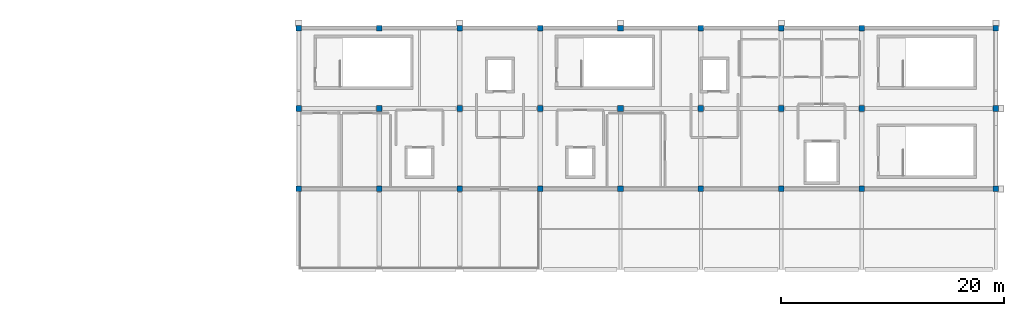
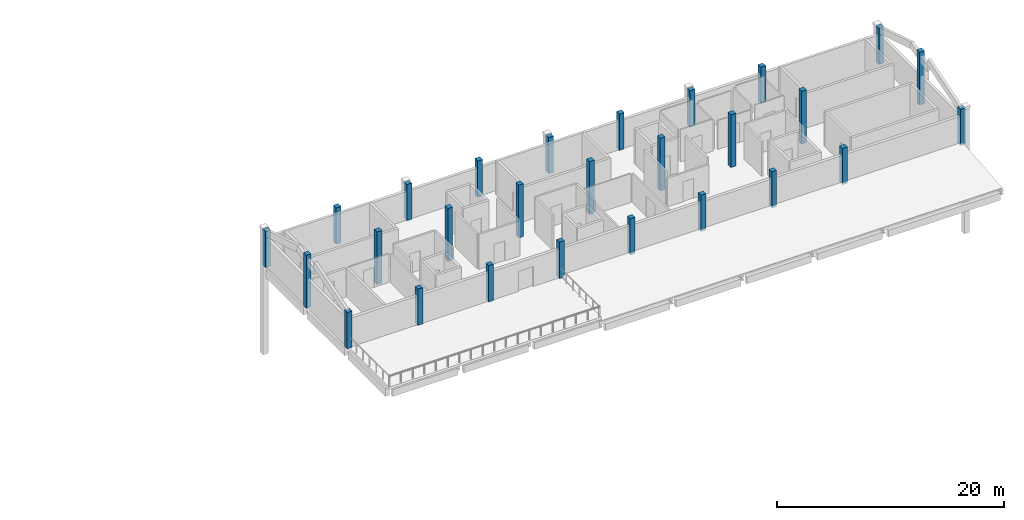
# One storey, part 1 of 8: 27 columns.
"""IFC4 building model written with IfcOpenShell, lengths in metres."""

import ifcopenshell
import ifcopenshell.guid

model = None  # the IFC model being written
_history = None  # IfcOwnerHistory: only IFC2X3 demands one
_inside = {}  # id of a spatial element -> (the spatial element, [elements in it])
_under = {}  # id of a project, library or spatial element -> (it, [spatial elements below it])
_declared = {}  # id of a project -> (the project, [libraries it declares])
_typed = {}  # id of a type object -> (the type object, [elements of that type])
_made_of = {}  # id of a material, layer set ... -> (it, [elements and type objects made of it])


def new_model(schema):
    """Start an empty IFC model of exactly this schema.

    Asked for "IFC4X3", IfcOpenShell would pick the latest addendum, in which some entities
    have other attributes; the version numbers below select the first issue.
    IFC2X3 requires an IfcOwnerHistory on every rooted entity: one is made here for all.
    """
    global model, _history
    if schema == "IFC4X3":
        model = ifcopenshell.file(schema_version=(4, 3, 0, 0))
    else:
        model = ifcopenshell.file(schema=schema)
    _inside.clear()
    _under.clear()
    _declared.clear()
    _typed.clear()
    _made_of.clear()
    _history = None
    if model.schema == "IFC2X3":
        org = make("IfcOrganization", Name="unknown")
        user = make(
            "IfcPersonAndOrganization",
            ThePerson=make("IfcPerson", FamilyName="unknown"),
            TheOrganization=org,
        )
        app = make(
            "IfcApplication",
            ApplicationDeveloper=org,
            Version="unknown",
            ApplicationFullName="unknown",
            ApplicationIdentifier="unknown",
        )
        _history = make(
            "IfcOwnerHistory",
            OwningUser=user,
            OwningApplication=app,
            ChangeAction="ADDED",
            CreationDate=0,
        )
    return model


def make(cls, **values):
    """One entity of the class cls with the attributes given. An attribute that is None is left unset."""
    return model.create_entity(
        cls, **{name: value for name, value in values.items() if value is not None}
    )


def rooted(cls, **values):
    """An entity with a GlobalId (a new one), such as an element, a storey or a relation."""
    return make(cls, GlobalId=ifcopenshell.guid.new(), OwnerHistory=_history, **values)


def si_unit(unit_type, name, prefix=None):
    """IfcSIUnit, for example si_unit("LENGTHUNIT", "METRE", prefix="MILLI")."""
    return make("IfcSIUnit", UnitType=unit_type, Prefix=prefix, Name=name)


def assignment(units):
    """IfcUnitAssignment: the units of a project."""
    return None if units is None else make("IfcUnitAssignment", Units=units)


def point(xyz):
    """IfcCartesianPoint."""
    return None if xyz is None else make("IfcCartesianPoint", Coordinates=xyz)


def direction(xyz):
    """IfcDirection."""
    return None if xyz is None else make("IfcDirection", DirectionRatios=xyz)


def frame(location, z_axis=None, x_axis=None):
    """IfcAxis2Placement3D, a coordinate frame: its origin and axes. An axis left out is left unset."""
    return make(
        "IfcAxis2Placement3D",
        Location=point(location),
        Axis=direction(z_axis),
        RefDirection=direction(x_axis),
    )


def frame_2d(location, x_axis=None):
    """IfcAxis2Placement2D, a coordinate frame in the plane: its origin and x axis."""
    return make(
        "IfcAxis2Placement2D", Location=point(location), RefDirection=direction(x_axis)
    )


def origin():
    """The frame at (0, 0, 0) with its axes left unset."""
    return frame((0.0, 0.0, 0.0))


def origin_2d():
    """The frame at (0, 0) in the plane with its x axis left unset."""
    return frame_2d((0.0, 0.0))


def place(relative_to, where):
    """IfcLocalPlacement: puts the frame where relative to a parent placement (None: the world)."""
    return make(
        "IfcLocalPlacement", PlacementRelTo=relative_to, RelativePlacement=where
    )


def context(
    kind, dimensions, precision=None, world=None, true_north=None, identifier=None
):
    """IfcGeometricRepresentationContext, for example the 3D "Model" context."""
    return make(
        "IfcGeometricRepresentationContext",
        ContextIdentifier=identifier,
        ContextType=kind,
        CoordinateSpaceDimension=dimensions,
        Precision=precision,
        WorldCoordinateSystem=world,
        TrueNorth=true_north,
    )


def subcontext(parent, identifier, kind, view, scale=None):
    """IfcGeometricRepresentationSubContext, for example "Body" below "Model"."""
    return make(
        "IfcGeometricRepresentationSubContext",
        ContextIdentifier=identifier,
        ContextType=kind,
        ParentContext=parent,
        TargetScale=scale,
        TargetView=view,
    )


def project(units=None, contexts=None):
    """IfcProject with its units and contexts."""
    return rooted(
        "IfcProject",
        Name="project",
        RepresentationContexts=contexts,
        UnitsInContext=assignment(units),
    )


def spatial(cls, under=None, at=None, **own):
    """A site, building, storey or space (cls), placed at a placement, below another one or the project."""
    s = rooted(cls, ObjectPlacement=at, **own)
    if under is not None:
        _under.setdefault(under.id(), (under, []))[1].append(s)
    return s


def profile(cls, at=None, kind="AREA", **sizes):
    """A parametric profile (cls). Its sizes go by their IFC names, for example OverallWidth=200.0."""
    return make(cls, ProfileType=kind, Position=at, **sizes)


def rectangle(**sizes):
    """IfcRectangleProfileDef."""
    return profile("IfcRectangleProfileDef", **sizes)


def extrude(swept, where, along, depth):
    """IfcExtrudedAreaSolid: the profile swept, set in the frame where, extruded along a direction by depth."""
    return make(
        "IfcExtrudedAreaSolid",
        SweptArea=swept,
        Position=where,
        ExtrudedDirection=direction(along),
        Depth=depth,
    )


def shape(context_of_items, identifier, shape_type, items):
    """IfcShapeRepresentation: the items that make up one representation, for example the "Body"."""
    return make(
        "IfcShapeRepresentation",
        ContextOfItems=context_of_items,
        RepresentationIdentifier=identifier,
        RepresentationType=shape_type,
        Items=items,
    )


def material(Name=None, Category=None):
    """IfcMaterial."""
    return make("IfcMaterial", Name=Name, Category=Category)


def material_profile(
    of_material, cross_section, Name=None, Category=None, Priority=None
):
    """IfcMaterialProfile: a cross section and its material."""
    return make(
        "IfcMaterialProfile",
        Name=Name,
        Material=of_material,
        Profile=cross_section,
        Priority=Priority,
        Category=Category,
    )


def profile_set(profiles, Name=None, composite=None):
    """IfcMaterialProfileSet."""
    return make(
        "IfcMaterialProfileSet",
        Name=Name,
        MaterialProfiles=profiles,
        CompositeProfile=composite,
    )


def made_of(thing, what):
    """Note that an element or type object is made of a material, layer set ...; save() writes the relation."""
    if what is not None:
        _made_of.setdefault(what.id(), (what, []))[1].append(thing)
    return thing


def type_object(cls, material=None, **own):
    """A type object (cls), such as IfcWallType, which elements share."""
    return made_of(rooted(cls, **own), material)


def element(
    cls,
    number,
    at=None,
    inside=None,
    cuts=None,
    type_object=None,
    material=None,
    context=None,
    identifier="Body",
    shape_type=None,
    held_by="IfcProductDefinitionShape",
    body=None,
    shapes=None,
    **own,
):
    """One element of the class cls, such as IfcWall. Its Tag is "e" and its number.

    at: its placement. inside: the storey or other place that contains it. cuts: it is an
    opening in that element (IfcRelVoidsElement). A single representation is given by context,
    identifier, shape_type and body (its items); several are given by shapes. held_by: the class
    of the entity that holds the representations. save() writes the other relations.
    """
    e = rooted(cls, Tag="e%d" % number, ObjectPlacement=at, **own)
    if body is not None:
        shapes = [shape(context, identifier, shape_type, body)]
    if shapes is not None:
        e.Representation = make(held_by, Representations=shapes)
    if inside is not None:
        _inside.setdefault(inside.id(), (inside, []))[1].append(e)
    if cuts is not None:
        rooted(
            "IfcRelVoidsElement", RelatingBuildingElement=cuts, RelatedOpeningElement=e
        )
    if type_object is not None:
        _typed.setdefault(type_object.id(), (type_object, []))[1].append(e)
    return made_of(e, material)


def aggregate(whole, parts):
    """IfcRelAggregates: a whole, such as a stair, and the parts it consists of."""
    return rooted("IfcRelAggregates", RelatingObject=whole, RelatedObjects=parts)


def save(model, path):
    """Write the relations noted so far, then the file.

    IfcRelAggregates (storeys below a building ...), IfcRelContainedInSpatialStructure (elements
    in a storey), IfcRelDefinesByType, IfcRelAssociatesMaterial and IfcRelDeclares: one each for
    every whole, place, type object, material and project.
    """
    for whole, parts in _under.values():
        aggregate(whole, parts)
    for where, things in _inside.values():
        rooted(
            "IfcRelContainedInSpatialStructure",
            RelatedElements=things,
            RelatingStructure=where,
        )
    for kind, things in _typed.values():
        rooted("IfcRelDefinesByType", RelatedObjects=things, RelatingType=kind)
    for what, things in _made_of.values():
        rooted("IfcRelAssociatesMaterial", RelatedObjects=things, RelatingMaterial=what)
    for by, libraries in _declared.values():
        rooted("IfcRelDeclares", RelatingContext=by, RelatedDefinitions=libraries)
    model.write(path)


model = new_model("IFC4")

# Units and contexts
model_context = context("Model", 3, precision=1e-05, world=origin(), true_north=direction((0.0, 1.0)))
body_context = subcontext(model_context, "Body", "Model", "MODEL_VIEW")
ifc_project = project(units=[si_unit("LENGTHUNIT", "METRE"), si_unit("AREAUNIT", "SQUARE_METRE"), si_unit("VOLUMEUNIT", "CUBIC_METRE"), si_unit("PLANEANGLEUNIT", "RADIAN"), si_unit("MASSUNIT", "GRAM", prefix="KILO")], contexts=[model_context])

# Site, building, storey
site_placement = place(None, origin())
site = spatial("IfcSite", under=ifc_project, at=site_placement, CompositionType="ELEMENT")
building_placement = place(site_placement, origin())
building = spatial("IfcBuilding", under=site, at=building_placement, Name="Cendralis Lancet Convention Centre", CompositionType="ELEMENT")
storey_placement = place(building_placement, frame((0.0, 0.0, 24.60009765625)))
storey = spatial("IfcBuildingStorey", under=building, at=storey_placement, Name="L05", CompositionType="ELEMENT", Elevation=24.60009765625)

# Columns
ifc_material = material(Name="Concrete G40 (C40/50)", Category="concrete")
ifc_material_profile_1 = material_profile(ifc_material, rectangle(XDim=0.5, YDim=0.5, at=origin_2d()), Name="RC 500x500")
ifc_profile_set_1 = profile_set([ifc_material_profile_1], Name="Concrete G40 (C40/50)")
column_type_1 = type_object("IfcColumnType", Name="STR-COL-C11", PredefinedType="COLUMN", material=ifc_profile_set_1)
column_1_placement = place(storey_placement, frame((146.39990234375, 21.60009765625, 0.0), z_axis=(0.0, 0.0, 1.0), x_axis=(1.0, 0.0, 0.0)))
element("IfcColumn", 1, at=column_1_placement, inside=storey, type_object=column_type_1, Name="L05 Column C11 at 146.4,21.6", PredefinedType="COLUMN", context=body_context, shape_type="SweptSolid", body=[
    extrude(rectangle(XDim=0.5, YDim=0.5, at=origin_2d()), origin(), (0.0, 0.0, 1.0), 3.89990234375),
])
column_2_placement = place(storey_placement, frame((146.39990234375, 28.800048828125, 0.0), z_axis=(0.0, 0.0, 1.0), x_axis=(1.0, 0.0, 0.0)))
element("IfcColumn", 2, at=column_2_placement, inside=storey, type_object=column_type_1, Name="L05 Column C11 at 146.4,28.8", PredefinedType="COLUMN", context=body_context, shape_type="SweptSolid", body=[
    extrude(rectangle(XDim=0.5, YDim=0.5, at=origin_2d()), origin(), (0.0, 0.0, 1.0), 5.679931640625),
])
for number, where, z_axis, x_axis, name in (
    (3, (146.39990234375, 36.0, 0.0), (0.0, 0.0, 1.0), (1.0, 0.0, 0.0), "L05 Column C11 at 146.4,36.0"),
    (4, (153.60009765625, 21.60009765625, 0.0), (0.0, 0.0, 1.0), (1.0, 0.0, 0.0), "L05 Column C11 at 153.6,21.6"),
    (5, (153.60009765625, 36.0, 0.0), (0.0, 0.0, 1.0), (1.0, 0.0, 0.0), "L05 Column C11 at 153.6,36.0"),
    (6, (160.800048828125, 21.60009765625, 0.0), (0.0, 0.0, 1.0), (1.0, 0.0, 0.0), "L05 Column C11 at 160.8,21.6"),
    (7, (160.800048828125, 36.0, 0.0), (0.0, 0.0, 1.0), (1.0, 0.0, 0.0), "L05 Column C11 at 160.8,36.0"),
    (8, (168.0, 21.60009765625, 0.0), (0.0, 0.0, 1.0), (1.0, 0.0, 0.0), "L05 Column C11 at 168.0,21.6"),
    (9, (168.0, 36.0, 0.0), (0.0, 0.0, 1.0), (1.0, 0.0, 0.0), "L05 Column C11 at 168.0,36.0"),
    (10, (175.199951171875, 21.60009765625, 0.0), (0.0, 0.0, 1.0), (1.0, 0.0, 0.0), "L05 Column C11 at 175.2,21.6"),
    (11, (175.199951171875, 36.0, 0.0), (0.0, 0.0, 1.0), (1.0, 0.0, 0.0), "L05 Column C11 at 175.2,36.0"),
    (12, (182.39990234375, 21.60009765625, 0.0), (0.0, 0.0, 1.0), (1.0, 0.0, 0.0), "L05 Column C11 at 182.4,21.6"),
    (13, (182.39990234375, 36.0, 0.0), (0.0, 0.0, 1.0), (1.0, 0.0, 0.0), "L05 Column C11 at 182.4,36.0"),
    (14, (189.60009765625, 21.60009765625, 0.0), (0.0, 0.0, 1.0), (1.0, 0.0, 0.0), "L05 Column C11 at 189.6,21.6"),
    (15, (189.60009765625, 36.0, 0.0), (0.0, 0.0, 1.0), (1.0, 0.0, 0.0), "L05 Column C11 at 189.6,36.0"),
    (16, (196.800048828125, 21.60009765625, 0.0), (0.0, 0.0, 1.0), (1.0, 0.0, 0.0), "L05 Column C11 at 196.8,21.6"),
    (17, (196.800048828125, 36.0, 0.0), (0.0, 0.0, 1.0), (1.0, 0.0, 0.0), "L05 Column C11 at 196.8,36.0"),
    (18, (208.800048828125, 21.60009765625, 0.0), (0.0, 0.0, 1.0), (1.0, 0.0, 0.0), "L05 Column C11 at 208.8,21.6"),
):
    element("IfcColumn", number, at=place(storey_placement, frame(where, z_axis=z_axis, x_axis=x_axis)), inside=storey, type_object=column_type_1, Name=name, PredefinedType="COLUMN", context=body_context, shape_type="SweptSolid", body=[
        extrude(rectangle(XDim=0.5, YDim=0.5, at=origin_2d()), origin(), (0.0, 0.0, 1.0), 3.89990234375),
    ])
column_3_placement = place(storey_placement, frame((208.800048828125, 28.800048828125, 0.0), z_axis=(0.0, 0.0, 1.0), x_axis=(1.0, 0.0, 0.0)))
element("IfcColumn", 19, at=column_3_placement, inside=storey, type_object=column_type_1, Name="L05 Column C11 at 208.8,28.8", PredefinedType="COLUMN", context=body_context, shape_type="SweptSolid", body=[
    extrude(rectangle(XDim=0.5, YDim=0.5, at=origin_2d()), origin(), (0.0, 0.0, 1.0), 5.679931640625),
])
column_4_placement = place(storey_placement, frame((208.800048828125, 36.0, 0.0), z_axis=(0.0, 0.0, 1.0), x_axis=(1.0, 0.0, 0.0)))
element("IfcColumn", 20, at=column_4_placement, inside=storey, type_object=column_type_1, Name="L05 Column C11 at 208.8,36.0", PredefinedType="COLUMN", context=body_context, shape_type="SweptSolid", body=[
    extrude(rectangle(XDim=0.5, YDim=0.5, at=origin_2d()), origin(), (0.0, 0.0, 1.0), 3.89990234375),
])
ifc_material_profile_2 = material_profile(ifc_material, rectangle(XDim=0.5, YDim=0.5, at=origin_2d()), Name="RC 500x500")
ifc_profile_set_2 = profile_set([ifc_material_profile_2], Name="Concrete G40 (C40/50)")
column_type_2 = type_object("IfcColumnType", Name="STR-COL-C11-INT", PredefinedType="COLUMN", material=ifc_profile_set_2)
for number, where, z_axis, x_axis, name in (
    (21, (153.60009765625, 28.800048828125, 0.0), (0.0, 0.0, 1.0), (1.0, 0.0, 0.0), "L05 Column C11 at 153.6,28.8"),
    (22, (160.800048828125, 28.800048828125, 0.0), (0.0, 0.0, 1.0), (1.0, 0.0, 0.0), "L05 Column C11 at 160.8,28.8"),
    (23, (168.0, 28.800048828125, 0.0), (0.0, 0.0, 1.0), (1.0, 0.0, 0.0), "L05 Column C11 at 168.0,28.8"),
    (24, (175.199951171875, 28.800048828125, 0.0), (0.0, 0.0, 1.0), (1.0, 0.0, 0.0), "L05 Column C11 at 175.2,28.8"),
    (25, (182.39990234375, 28.800048828125, 0.0), (0.0, 0.0, 1.0), (1.0, 0.0, 0.0), "L05 Column C11 at 182.4,28.8"),
    (26, (189.60009765625, 28.800048828125, 0.0), (0.0, 0.0, 1.0), (1.0, 0.0, 0.0), "L05 Column C11 at 189.6,28.8"),
    (27, (196.800048828125, 28.800048828125, 0.0), (0.0, 0.0, 1.0), (1.0, 0.0, 0.0), "L05 Column C11 at 196.8,28.8"),
):
    element("IfcColumn", number, at=place(storey_placement, frame(where, z_axis=z_axis, x_axis=x_axis)), inside=storey, type_object=column_type_2, Name=name, PredefinedType="COLUMN", context=body_context, shape_type="SweptSolid", body=[
        extrude(rectangle(XDim=0.5, YDim=0.5, at=origin_2d()), origin(), (0.0, 0.0, 1.0), 5.679931640625),
    ])

save(model, "model.ifc")
